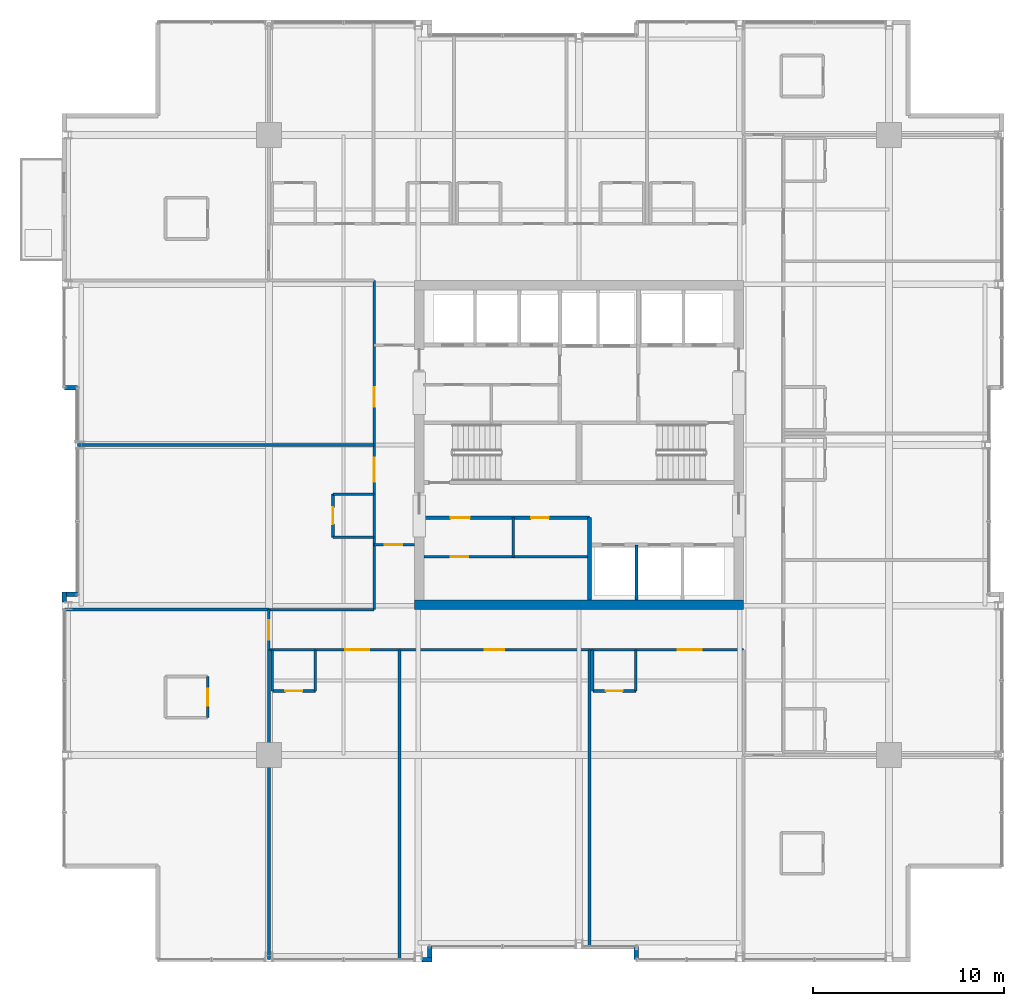
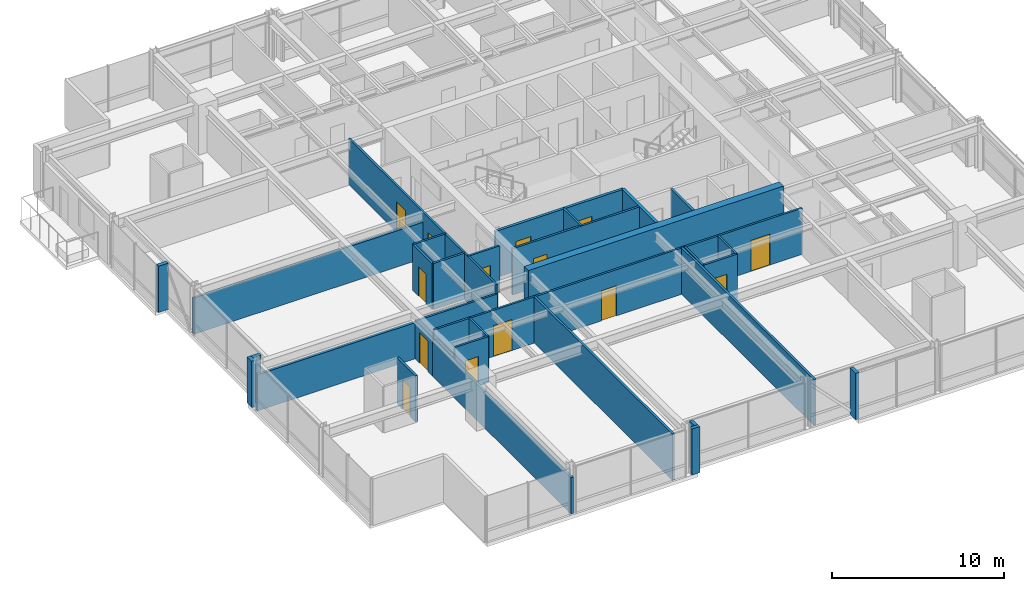
# One storey, part 25 of 32: 32 walls, 14 doors, 14 openings.
"""IFC4 building model written with IfcOpenShell, lengths in metres."""

from ifc_helpers import new_model, si_unit, direction, frame, frame_2d, origin, place, context, subcontext, project, spatial, rectangle, extrude, material, layer, layer_set, type_object, element, fill, save


model = new_model("IFC4")

# Units and contexts
model_context = context("Model", 3, precision=1e-05, world=origin(), true_north=direction((0.0, 1.0)))
body_context = subcontext(model_context, "Body", "Model", "MODEL_VIEW")
ifc_project = project(units=[si_unit("LENGTHUNIT", "METRE"), si_unit("AREAUNIT", "SQUARE_METRE"), si_unit("VOLUMEUNIT", "CUBIC_METRE"), si_unit("PLANEANGLEUNIT", "RADIAN"), si_unit("MASSUNIT", "GRAM", prefix="KILO")], contexts=[model_context])

# Site, building, storey
site_placement = place(None, origin())
site = spatial("IfcSite", under=ifc_project, at=site_placement, CompositionType="ELEMENT")
building_placement = place(site_placement, origin())
building = spatial("IfcBuilding", under=site, at=building_placement, Name="Drelvath Grand Hotel", CompositionType="ELEMENT")
storey_placement = place(building_placement, frame((0.0, 0.0, 189.449951171875)))
storey = spatial("IfcBuildingStorey", under=building, at=storey_placement, Name="L49", CompositionType="ELEMENT", Elevation=189.449951171875)

# Walls
ifc_material_1 = material(Name="Concrete C40/50", Category="concrete")
ifc_layer_1 = layer(ifc_material_1, 0.199951171875)
ifc_layer_set_1 = layer_set([ifc_layer_1], Name="Concrete C40/50")
wall_type_1 = type_object("IfcWallType", Name="Core Hoistway Fire Wall 200", PredefinedType="SOLIDWALL", material=ifc_layer_set_1)
wall_1_placement = place(storey_placement, frame((0.550048828125, 18.89990234375, 0.0), z_axis=(0.0, 0.0, 1.0), x_axis=(0.0, 1.0, 0.0)))
element("IfcWall", 1, at=wall_1_placement, inside=storey, type_object=wall_type_1, Name="L49 Bank 2 West Wall", PredefinedType="SOLIDWALL", context=body_context, shape_type="SweptSolid", body=[
    extrude(rectangle(XDim=4.300048828125, YDim=0.199951171875, at=frame_2d((2.14990234375, 0.0))), origin(), (0.0, 0.0, 1.0), 3.2900390625),
])
ifc_material_2 = material(Name="Gypsum Fireboard Partition")
ifc_layer_2 = layer(ifc_material_2, 0.1650390625)
ifc_layer_set_2 = layer_set([ifc_layer_2], Name="Gypsum Fireboard Partition")
wall_type_2 = type_object("IfcWallType", Name="Core Shaft Partition 165", PredefinedType="PARTITIONING", material=ifc_layer_set_2)
wall_2_placement = place(storey_placement, frame((3.0, 18.89990234375, 0.0), z_axis=(0.0, 0.0, 1.0), x_axis=(0.0, 1.0, 0.0)))
element("IfcWall", 2, at=wall_2_placement, inside=storey, type_object=wall_type_2, Name="L49 Lift PE-4/5 Divider", PredefinedType="PARTITIONING", context=body_context, shape_type="SweptSolid", body=[
    extrude(rectangle(XDim=2.880126953125, YDim=0.1650390625, at=frame_2d((1.43994140625, 0.0))), origin(), (0.0, 0.0, 1.0), 3.2900390625),
])

# Wall, opening, door
ifc_layer_3 = layer(ifc_material_2, 0.135009765625)
ifc_layer_set_3 = layer_set([ifc_layer_3], Name="Gypsum Fireboard Partition")
wall_type_3 = type_object("IfcWallType", Name="Corridor Fire Barrier Wall 135", PredefinedType="PARTITIONING", material=ifc_layer_set_3)
wall_3_placement = place(storey_placement, frame((-10.699951171875, 21.800048828125, 0.0), z_axis=(0.0, 0.0, 1.0), x_axis=(1.0, 0.0, 0.0)))
wall_3 = element("IfcWall", 3, at=wall_3_placement, inside=storey, type_object=wall_type_3, Name="L49 West Foyer South Wall", PredefinedType="PARTITIONING", context=body_context, shape_type="SweptSolid", body=[
    extrude(rectangle(XDim=2.099853515625, YDim=0.135009765625, at=frame_2d((1.0498046875, 0.0))), origin(), (0.0, 0.0, 1.0), 3.2900390625),
])
opening_1_placement = place(wall_3_placement, frame((0.550048828125, 0.0, 0.0)))
opening_1 = element("IfcOpeningElement", 4, at=opening_1_placement, cuts=wall_3, Name="Opening D-T3G4-024", PredefinedType="OPENING", context=body_context, shape_type="SweptSolid", body=[
    extrude(rectangle(XDim=0.919921875, YDim=2.10009765625, at=frame_2d((0.4599609375, 1.050048828125))), frame((0.0, 0.077392578125, 0.0), z_axis=(0.0, -1.0, 0.0), x_axis=(1.0, 0.0, 0.0)), (0.0, 0.0, 1.0), 0.155029296875),
])
ifc_material_3 = material(Name="Painted Steel S275", Category="steel")
door_type_1 = type_object("IfcDoorType", Name="Staff Utility Door 920x2100", OperationType="NOTDEFINED", PredefinedType="DOOR", material=ifc_material_3)
door_1_placement = place(opening_1_placement, origin())
door_1 = element("IfcDoor", 5, at=door_1_placement, inside=storey, type_object=door_type_1, Name="L49 West Linen Closet Door", OperationType="SINGLE_SWING_RIGHT", OverallHeight=2.10009765625, OverallWidth=0.919921875, PredefinedType="DOOR", context=body_context, shape_type="SweptSolid", body=[
    extrude(rectangle(XDim=0.919921875, YDim=2.10009765625, at=frame_2d((0.4599609375, 1.050048828125))), frame((0.0, 0.02490234375, 0.0), z_axis=(0.0, -1.0, 0.0), x_axis=(1.0, 0.0, 0.0)), (0.0, 0.0, 1.0), 0.050048828125),
])
fill(opening_1, door_1)

# Wall
wall_4_placement = place(storey_placement, frame((-16.199951171875, 18.39990234375, 0.0), z_axis=(0.0, 0.0, 1.0), x_axis=(1.0, 0.0, 0.0)))
element("IfcWall", 6, at=wall_4_placement, inside=storey, type_object=wall_type_3, Name="L49 SW Stub North Wall", PredefinedType="PARTITIONING", context=body_context, shape_type="SweptSolid", body=[
    extrude(rectangle(XDim=5.5, YDim=0.135009765625, at=frame_2d((2.75, 0.0))), origin(), (0.0, 0.0, 1.0), 2.66748046875),
])

# Wall, openings, doors
wall_5_placement = place(storey_placement, frame((-16.199951171875, 16.300048828125, 0.0), z_axis=(0.0, 0.0, 1.0), x_axis=(1.0, 0.0, 0.0)))
wall_5 = element("IfcWall", 7, at=wall_5_placement, inside=storey, type_object=wall_type_3, Name="L49 South Stub Corridor Wall", PredefinedType="PARTITIONING", context=body_context, shape_type="SweptSolid", body=[
    extrude(rectangle(XDim=24.800048828125, YDim=0.135009765625, at=frame_2d((12.39990234375, 0.0))), origin(), (0.0, 0.0, 1.0), 3.2900390625),
])
opening_2_placement = place(wall_5_placement, frame((3.9951171875, 0.0, 0.0)))
opening_2 = element("IfcOpeningElement", 8, at=opening_2_placement, cuts=wall_5, Name="Opening D-T3G4-035", PredefinedType="OPENING", context=body_context, shape_type="SweptSolid", body=[
    extrude(rectangle(XDim=1.260009765625, YDim=2.199951171875, at=frame_2d((0.6298828125, 1.10009765625))), frame((0.0, 0.077392578125, 0.0), z_axis=(0.0, -1.0, 0.0), x_axis=(1.0, 0.0, 0.0)), (0.0, 0.0, 1.0), 0.155029296875),
])
opening_3_placement = place(wall_5_placement, frame((11.27001953125, 0.0, 0.0)))
opening_3 = element("IfcOpeningElement", 9, at=opening_3_placement, cuts=wall_5, Name="Opening D-T3G4-036", PredefinedType="OPENING", context=body_context, shape_type="SweptSolid", body=[
    extrude(rectangle(XDim=1.02001953125, YDim=2.14990234375, at=frame_2d((0.510009765625, 1.074951171875))), frame((0.0, 0.077392578125, 0.0), z_axis=(0.0, -1.0, 0.0), x_axis=(1.0, 0.0, 0.0)), (0.0, 0.0, 1.0), 0.155029296875),
])
opening_4_placement = place(wall_5_placement, frame((21.35498046875, 0.0, 0.0)))
opening_4 = element("IfcOpeningElement", 10, at=opening_4_placement, cuts=wall_5, Name="Opening D-T3G4-038", PredefinedType="OPENING", context=body_context, shape_type="SweptSolid", body=[
    extrude(rectangle(XDim=1.260009765625, YDim=2.199951171875, at=frame_2d((0.6298828125, 1.10009765625))), frame((0.0, 0.077392578125, 0.0), z_axis=(0.0, -1.0, 0.0), x_axis=(1.0, 0.0, 0.0)), (0.0, 0.0, 1.0), 0.155029296875),
])
ifc_material_4 = material(Name="Hardwood Walnut Timber", Category="wood")
door_type_2 = type_object("IfcDoorType", Name="Amenity Meeting Fire Door 1020x2150", OperationType="NOTDEFINED", PredefinedType="DOOR", material=ifc_material_4)
door_2_placement = place(opening_3_placement, origin())
door_2 = element("IfcDoor", 11, at=door_2_placement, inside=storey, type_object=door_type_2, Name="L49 Conference Room Entry Door", OperationType="SINGLE_SWING_RIGHT", OverallHeight=2.14990234375, OverallWidth=1.02001953125, PredefinedType="DOOR", context=body_context, shape_type="SweptSolid", body=[
    extrude(rectangle(XDim=1.02001953125, YDim=2.14990234375, at=frame_2d((0.510009765625, 1.074951171875))), frame((0.0, 0.02490234375, 0.0), z_axis=(0.0, -1.0, 0.0), x_axis=(1.0, 0.0, 0.0)), (0.0, 0.0, 1.0), 0.050048828125),
])
fill(opening_3, door_2)
door_type_3 = type_object("IfcDoorType", Name="Suite Entrance Fire Door 1260x2200", OperationType="NOTDEFINED", PredefinedType="DOOR", material=ifc_material_4)
door_3_placement = place(opening_2_placement, origin())
door_3 = element("IfcDoor", 12, at=door_3_placement, inside=storey, type_object=door_type_3, Name="L49 Executive Suite Entry Door", OperationType="SINGLE_SWING_LEFT", OverallHeight=2.199951171875, OverallWidth=1.260009765625, PredefinedType="DOOR", context=body_context, shape_type="SweptSolid", body=[
    extrude(rectangle(XDim=1.260009765625, YDim=2.199951171875, at=frame_2d((0.6298828125, 1.10009765625))), frame((0.0, 0.02490234375, 0.0), z_axis=(0.0, -1.0, 0.0), x_axis=(1.0, 0.0, 0.0)), (0.0, 0.0, 1.0), 0.050048828125),
])
fill(opening_2, door_3)
door_4_placement = place(opening_4_placement, origin())
door_4 = element("IfcDoor", 13, at=door_4_placement, inside=storey, type_object=door_type_3, Name="L49 Executive Suite Entry Door", OperationType="SINGLE_SWING_RIGHT", OverallHeight=2.199951171875, OverallWidth=1.260009765625, PredefinedType="DOOR", context=body_context, shape_type="SweptSolid", body=[
    extrude(rectangle(XDim=1.260009765625, YDim=2.199951171875, at=frame_2d((0.6298828125, 1.10009765625))), frame((0.0, 0.02490234375, 0.0), z_axis=(0.0, -1.0, 0.0), x_axis=(1.0, 0.0, 0.0)), (0.0, 0.0, 1.0), 0.050048828125),
])
fill(opening_4, door_4)

wall_6_placement = place(storey_placement, frame((-10.699951171875, 18.39990234375, 0.0), z_axis=(0.0, 0.0, 1.0), x_axis=(0.0, 1.0, 0.0)))
wall_6 = element("IfcWall", 14, at=wall_6_placement, inside=storey, type_object=wall_type_3, Name="L49 West Spine Wall", PredefinedType="PARTITIONING", context=body_context, shape_type="SweptSolid", body=[
    extrude(rectangle(XDim=17.2001953125, YDim=0.135009765625, at=frame_2d((8.60009765625, 0.0))), origin(), (0.0, 0.0, 1.0), 3.2900390625),
])
opening_5_placement = place(wall_6_placement, frame((6.68505859375, 0.0, 0.0)))
opening_5 = element("IfcOpeningElement", 15, at=opening_5_placement, cuts=wall_6, Name="Opening D-T3G4-058", PredefinedType="OPENING", context=body_context, shape_type="SweptSolid", body=[
    extrude(rectangle(XDim=1.260009765625, YDim=2.199951171875, at=frame_2d((0.6298828125, 1.10009765625))), frame((0.0, 0.077392578125, 0.0), z_axis=(0.0, -1.0, 0.0), x_axis=(1.0, 0.0, 0.0)), (0.0, 0.0, 1.0), 0.155029296875),
])
opening_6_placement = place(wall_6_placement, frame((10.590087890625, 0.0, 0.0)))
opening_6 = element("IfcOpeningElement", 16, at=opening_6_placement, cuts=wall_6, Name="Opening D-T3G4-059", PredefinedType="OPENING", context=body_context, shape_type="SweptSolid", body=[
    extrude(rectangle(XDim=1.02001953125, YDim=2.14990234375, at=frame_2d((0.510009765625, 1.074951171875))), frame((0.0, 0.077392578125, 0.0), z_axis=(0.0, -1.0, 0.0), x_axis=(1.0, 0.0, 0.0)), (0.0, 0.0, 1.0), 0.155029296875),
])
door_5_placement = place(opening_6_placement, origin())
door_5 = element("IfcDoor", 17, at=door_5_placement, inside=storey, type_object=door_type_2, Name="L49 Fitness Movement Studio Entry Door", OperationType="SINGLE_SWING_LEFT", OverallHeight=2.14990234375, OverallWidth=1.02001953125, PredefinedType="DOOR", context=body_context, shape_type="SweptSolid", body=[
    extrude(rectangle(XDim=1.02001953125, YDim=2.14990234375, at=frame_2d((0.510009765625, 1.074951171875))), frame((0.0, 0.02490234375, 0.0), z_axis=(0.0, -1.0, 0.0), x_axis=(1.0, 0.0, 0.0)), (0.0, 0.0, 1.0), 0.050048828125),
])
fill(opening_6, door_5)
door_6_placement = place(opening_5_placement, origin())
door_6 = element("IfcDoor", 18, at=door_6_placement, inside=storey, type_object=door_type_3, Name="L49 Executive Suite Entry Door", OperationType="SINGLE_SWING_RIGHT", OverallHeight=2.199951171875, OverallWidth=1.260009765625, PredefinedType="DOOR", context=body_context, shape_type="SweptSolid", body=[
    extrude(rectangle(XDim=1.260009765625, YDim=2.199951171875, at=frame_2d((0.6298828125, 1.10009765625))), frame((0.0, 0.02490234375, 0.0), z_axis=(0.0, -1.0, 0.0), x_axis=(1.0, 0.0, 0.0)), (0.0, 0.0, 1.0), 0.050048828125),
])
fill(opening_5, door_6)

# Wall, opening, door
wall_7_placement = place(storey_placement, frame((-16.199951171875, 16.300048828125, 0.0), z_axis=(0.0, 0.0, 1.0), x_axis=(0.0, 1.0, 0.0)))
wall_7 = element("IfcWall", 19, at=wall_7_placement, inside=storey, type_object=wall_type_3, Name="L49 South Stub West End", PredefinedType="PARTITIONING", context=body_context, shape_type="SweptSolid", body=[
    extrude(rectangle(XDim=2.099853515625, YDim=0.135009765625, at=frame_2d((1.0498046875, 0.0))), origin(), (0.0, 0.0, 1.0), 2.57958984375),
])
opening_7_placement = place(wall_7_placement, frame((0.52001953125, 0.0, 0.0)))
opening_7 = element("IfcOpeningElement", 20, at=opening_7_placement, cuts=wall_7, Name="Opening D-T3G4-027", PredefinedType="OPENING", context=body_context, shape_type="SweptSolid", body=[
    extrude(rectangle(XDim=1.02001953125, YDim=2.14990234375, at=frame_2d((0.510009765625, 1.074951171875))), frame((0.0, 0.077392578125, 0.0), z_axis=(0.0, -1.0, 0.0), x_axis=(1.0, 0.0, 0.0)), (0.0, 0.0, 1.0), 0.155029296875),
])
door_7_placement = place(opening_7_placement, origin())
door_7 = element("IfcDoor", 21, at=door_7_placement, inside=storey, type_object=door_type_2, Name="L49 Executive Suite Entry Door", OperationType="SINGLE_SWING_LEFT", OverallHeight=2.14990234375, OverallWidth=1.02001953125, PredefinedType="DOOR", context=body_context, shape_type="SweptSolid", body=[
    extrude(rectangle(XDim=1.02001953125, YDim=2.14990234375, at=frame_2d((0.510009765625, 1.074951171875))), frame((0.0, 0.02490234375, 0.0), z_axis=(0.0, -1.0, 0.0), x_axis=(1.0, 0.0, 0.0)), (0.0, 0.0, 1.0), 0.050048828125),
])
fill(opening_7, door_7)

ifc_material_5 = material(Name="Moisture-Resistant Gypsum Board")
ifc_layer_4 = layer(ifc_material_5, 0.139892578125)
ifc_layer_set_4 = layer_set([ifc_layer_4], Name="Moisture-Resistant Gypsum Board")
wall_type_4 = type_object("IfcWallType", Name="En-Suite Plumbing Wall 140", PredefinedType="PLUMBINGWALL", material=ifc_layer_set_4)
wall_8_placement = place(storey_placement, frame((-8.10009765625, 21.159912109375, 0.0), z_axis=(0.0, 0.0, 1.0), x_axis=(1.0, 0.0, 0.0)))
wall_8 = element("IfcWall", 22, at=wall_8_placement, inside=storey, type_object=wall_type_4, Name="L49 Reclaimed Horizontal Wall", PredefinedType="PLUMBINGWALL", context=body_context, shape_type="SweptSolid", body=[
    extrude(rectangle(XDim=8.650146484375, YDim=0.139892578125, at=frame_2d((4.3251953125, 0.0))), origin(), (0.0, 0.0, 1.0), 3.2900390625),
])
opening_8_placement = place(wall_8_placement, frame((1.39990234375, 0.0, 0.0)))
opening_8 = element("IfcOpeningElement", 23, at=opening_8_placement, cuts=wall_8, Name="Opening D-T3G4-023", PredefinedType="OPENING", context=body_context, shape_type="SweptSolid", body=[
    extrude(rectangle(XDim=0.919921875, YDim=2.10009765625, at=frame_2d((0.4599609375, 1.050048828125))), frame((0.0, 0.079833984375, 0.0), z_axis=(0.0, -1.0, 0.0), x_axis=(1.0, 0.0, 0.0)), (0.0, 0.0, 1.0), 0.159912109375),
])
door_8_placement = place(opening_8_placement, origin())
door_8 = element("IfcDoor", 24, at=door_8_placement, inside=storey, type_object=door_type_1, Name="L49 Housekeeping Inner Door", OperationType="SINGLE_SWING_LEFT", OverallHeight=2.10009765625, OverallWidth=0.919921875, PredefinedType="DOOR", context=body_context, shape_type="SweptSolid", body=[
    extrude(rectangle(XDim=0.919921875, YDim=2.10009765625, at=frame_2d((0.4599609375, 1.050048828125))), frame((0.0, 0.02490234375, 0.0), z_axis=(0.0, -1.0, 0.0), x_axis=(1.0, 0.0, 0.0)), (0.0, 0.0, 1.0), 0.050048828125),
])
fill(opening_8, door_8)

# Wall
wall_9_placement = place(storey_placement, frame((-3.43994140625, 21.159912109375, 0.0), z_axis=(0.0, 0.0, 1.0), x_axis=(0.0, 1.0, 0.0)))
element("IfcWall", 25, at=wall_9_placement, inside=storey, type_object=wall_type_4, Name="L49 Staff WC Wall", PredefinedType="PLUMBINGWALL", context=body_context, shape_type="SweptSolid", body=[
    extrude(rectangle(XDim=2.0400390625, YDim=0.139892578125, at=frame_2d((1.02001953125, 0.0))), origin(), (0.0, 0.0, 1.0), 3.2900390625),
])

# Wall, opening, door
wall_10_placement = place(storey_placement, frame((-19.39990234375, 12.760009765625, 0.0), z_axis=(0.0, 0.0, 1.0), x_axis=(0.0, 1.0, 0.0)))
wall_10 = element("IfcWall", 26, at=wall_10_placement, inside=storey, type_object=wall_type_4, Name="L49 Corner En-Suite East", PredefinedType="PLUMBINGWALL", context=body_context, shape_type="SweptSolid", body=[
    extrude(rectangle(XDim=2.14990234375, YDim=0.139892578125, at=frame_2d((1.074951171875, 0.0))), origin(), (0.0, 0.0, 1.0), 3.2900390625),
])
opening_9_placement = place(wall_10_placement, frame((0.6201171875, 0.0, 0.0)))
opening_9 = element("IfcOpeningElement", 27, at=opening_9_placement, cuts=wall_10, Name="Opening D-T3G4-026", PredefinedType="OPENING", context=body_context, shape_type="SweptSolid", body=[
    extrude(rectangle(XDim=0.8798828125, YDim=2.10009765625, at=frame_2d((0.43994140625, 1.050048828125))), frame((0.0, 0.079833984375, 0.0), z_axis=(0.0, -1.0, 0.0), x_axis=(1.0, 0.0, 0.0)), (0.0, 0.0, 1.0), 0.159912109375),
])
door_type_4 = type_object("IfcDoorType", Name="En-Suite Bathroom Door 880x2100", OperationType="NOTDEFINED", PredefinedType="DOOR", material=ifc_material_4)
door_9_placement = place(opening_9_placement, origin())
door_9 = element("IfcDoor", 28, at=door_9_placement, inside=storey, type_object=door_type_4, Name="L49 Corner En-Suite Door", OperationType="SINGLE_SWING_RIGHT", OverallHeight=2.10009765625, OverallWidth=0.8798828125, PredefinedType="DOOR", context=body_context, shape_type="SweptSolid", body=[
    extrude(rectangle(XDim=0.8798828125, YDim=2.10009765625, at=frame_2d((0.43994140625, 1.050048828125))), frame((0.0, 0.02490234375, 0.0), z_axis=(0.0, -1.0, 0.0), x_axis=(1.0, 0.0, 0.0)), (0.0, 0.0, 1.0), 0.050048828125),
])
fill(opening_9, door_9)

# Walls
wall_11_placement = place(storey_placement, frame((-16.02001953125, 16.300048828125, 0.0), z_axis=(0.0, 0.0, 1.0), x_axis=(0.0, -1.0, 0.0)))
element("IfcWall", 29, at=wall_11_placement, inside=storey, type_object=wall_type_4, Name="L49 En-Suite Left Wall", PredefinedType="PLUMBINGWALL", context=body_context, shape_type="SweptSolid", body=[
    extrude(rectangle(XDim=2.150146484375, YDim=0.139892578125, at=frame_2d((1.0751953125, 0.0))), origin(), (0.0, 0.0, 1.0), 2.57958984375),
])
wall_12_placement = place(storey_placement, frame((-13.77001953125, 16.300048828125, 0.0), z_axis=(0.0, 0.0, 1.0), x_axis=(0.0, -1.0, 0.0)))
element("IfcWall", 30, at=wall_12_placement, inside=storey, type_object=wall_type_4, Name="L49 En-Suite Right Wall", PredefinedType="PLUMBINGWALL", context=body_context, shape_type="SweptSolid", body=[
    extrude(rectangle(XDim=2.150146484375, YDim=0.139892578125, at=frame_2d((1.0751953125, 0.0))), origin(), (0.0, 0.0, 1.0), 3.2900390625),
])

# Wall, opening, door
wall_13_placement = place(storey_placement, frame((-16.02001953125, 14.14990234375, 0.0), z_axis=(0.0, 0.0, 1.0), x_axis=(1.0, 0.0, 0.0)))
wall_13 = element("IfcWall", 31, at=wall_13_placement, inside=storey, type_object=wall_type_4, Name="L49 En-Suite Front Wall", PredefinedType="PLUMBINGWALL", context=body_context, shape_type="SweptSolid", body=[
    extrude(rectangle(XDim=2.25, YDim=0.139892578125, at=frame_2d((1.125, 0.0))), origin(), (0.0, 0.0, 1.0), 3.2900390625),
])
opening_10_placement = place(wall_13_placement, frame((0.68505859375, 0.0, 0.0)))
opening_10 = element("IfcOpeningElement", 32, at=opening_10_placement, cuts=wall_13, Name="Opening D-T3G4-034", PredefinedType="OPENING", context=body_context, shape_type="SweptSolid", body=[
    extrude(rectangle(XDim=0.8798828125, YDim=2.10009765625, at=frame_2d((0.43994140625, 1.050048828125))), frame((0.0, 0.079833984375, 0.0), z_axis=(0.0, -1.0, 0.0), x_axis=(1.0, 0.0, 0.0)), (0.0, 0.0, 1.0), 0.159912109375),
])
door_10_placement = place(opening_10_placement, origin())
door_10 = element("IfcDoor", 33, at=door_10_placement, inside=storey, type_object=door_type_4, Name="L49 En-Suite Bathroom Door", OperationType="SINGLE_SWING_RIGHT", OverallHeight=2.10009765625, OverallWidth=0.8798828125, PredefinedType="DOOR", context=body_context, shape_type="SweptSolid", body=[
    extrude(rectangle(XDim=0.8798828125, YDim=2.10009765625, at=frame_2d((0.43994140625, 1.050048828125))), frame((0.0, 0.02490234375, 0.0), z_axis=(0.0, -1.0, 0.0), x_axis=(1.0, 0.0, 0.0)), (0.0, 0.0, 1.0), 0.050048828125),
])
fill(opening_10, door_10)

# Walls
for number, where, z_axis, x_axis, name in (
    (34, (0.719970703125, 16.300048828125, 0.0), (0.0, 0.0, 1.0), (0.0, -1.0, 0.0), "L49 En-Suite Left Wall"),
    (35, (2.969970703125, 16.300048828125, 0.0), (0.0, 0.0, 1.0), (0.0, -1.0, 0.0), "L49 En-Suite Right Wall"),
):
    element("IfcWall", number, at=place(storey_placement, frame(where, z_axis=z_axis, x_axis=x_axis)), inside=storey, type_object=wall_type_4, Name=name, PredefinedType="PLUMBINGWALL", context=body_context, shape_type="SweptSolid", body=[
        extrude(rectangle(XDim=2.150146484375, YDim=0.139892578125, at=frame_2d((1.0751953125, 0.0))), origin(), (0.0, 0.0, 1.0), 3.2900390625),
    ])

# Wall, opening, door
wall_14_placement = place(storey_placement, frame((0.719970703125, 14.14990234375, 0.0), z_axis=(0.0, 0.0, 1.0), x_axis=(1.0, 0.0, 0.0)))
wall_14 = element("IfcWall", 36, at=wall_14_placement, inside=storey, type_object=wall_type_4, Name="L49 En-Suite Front Wall", PredefinedType="PLUMBINGWALL", context=body_context, shape_type="SweptSolid", body=[
    extrude(rectangle(XDim=2.25, YDim=0.139892578125, at=frame_2d((1.125, 0.0))), origin(), (0.0, 0.0, 1.0), 3.2900390625),
])
opening_11_placement = place(wall_14_placement, frame((0.68505859375, 0.0, 0.0)))
opening_11 = element("IfcOpeningElement", 37, at=opening_11_placement, cuts=wall_14, Name="Opening D-T3G4-037", PredefinedType="OPENING", context=body_context, shape_type="SweptSolid", body=[
    extrude(rectangle(XDim=0.8798828125, YDim=2.10009765625, at=frame_2d((0.43994140625, 1.050048828125))), frame((0.0, 0.079833984375, 0.0), z_axis=(0.0, -1.0, 0.0), x_axis=(1.0, 0.0, 0.0)), (0.0, 0.0, 1.0), 0.159912109375),
])
door_11_placement = place(opening_11_placement, origin())
door_11 = element("IfcDoor", 38, at=door_11_placement, inside=storey, type_object=door_type_4, Name="L49 En-Suite Bathroom Door", OperationType="SINGLE_SWING_LEFT", OverallHeight=2.10009765625, OverallWidth=0.8798828125, PredefinedType="DOOR", context=body_context, shape_type="SweptSolid", body=[
    extrude(rectangle(XDim=0.8798828125, YDim=2.10009765625, at=frame_2d((0.43994140625, 1.050048828125))), frame((0.0, 0.02490234375, 0.0), z_axis=(0.0, -1.0, 0.0), x_axis=(1.0, 0.0, 0.0)), (0.0, 0.0, 1.0), 0.050048828125),
])
fill(opening_11, door_11)

# Walls
for number, where, z_axis, x_axis, name in (
    (39, (-10.699951171875, 22.179931640625, 0.0), (0.0, 0.0, 1.0), (-1.0, 0.0, 0.0), "L49 En-Suite Left Wall"),
    (40, (-10.699951171875, 24.429931640625, 0.0), (0.0, 0.0, 1.0), (-1.0, 0.0, 0.0), "L49 En-Suite Right Wall"),
):
    element("IfcWall", number, at=place(storey_placement, frame(where, z_axis=z_axis, x_axis=x_axis)), inside=storey, type_object=wall_type_4, Name=name, PredefinedType="PLUMBINGWALL", context=body_context, shape_type="SweptSolid", body=[
        extrude(rectangle(XDim=2.150146484375, YDim=0.139892578125, at=frame_2d((1.0751953125, 0.0))), origin(), (0.0, 0.0, 1.0), 3.2900390625),
    ])

# Wall, opening, door
wall_15_placement = place(storey_placement, frame((-12.85009765625, 22.179931640625, 0.0), z_axis=(0.0, 0.0, 1.0), x_axis=(0.0, 1.0, 0.0)))
wall_15 = element("IfcWall", 41, at=wall_15_placement, inside=storey, type_object=wall_type_4, Name="L49 En-Suite Front Wall", PredefinedType="PLUMBINGWALL", context=body_context, shape_type="SweptSolid", body=[
    extrude(rectangle(XDim=2.25, YDim=0.139892578125, at=frame_2d((1.125, 0.0))), origin(), (0.0, 0.0, 1.0), 3.2900390625),
])
opening_12_placement = place(wall_15_placement, frame((0.68505859375, 0.0, 0.0)))
opening_12 = element("IfcOpeningElement", 42, at=opening_12_placement, cuts=wall_15, Name="Opening D-T3G4-057", PredefinedType="OPENING", context=body_context, shape_type="SweptSolid", body=[
    extrude(rectangle(XDim=0.8798828125, YDim=2.10009765625, at=frame_2d((0.43994140625, 1.050048828125))), frame((0.0, 0.079833984375, 0.0), z_axis=(0.0, -1.0, 0.0), x_axis=(1.0, 0.0, 0.0)), (0.0, 0.0, 1.0), 0.159912109375),
])
door_12_placement = place(opening_12_placement, origin())
door_12 = element("IfcDoor", 43, at=door_12_placement, inside=storey, type_object=door_type_4, Name="L49 En-Suite Bathroom Door", OperationType="SINGLE_SWING_LEFT", OverallHeight=2.10009765625, OverallWidth=0.8798828125, PredefinedType="DOOR", context=body_context, shape_type="SweptSolid", body=[
    extrude(rectangle(XDim=0.8798828125, YDim=2.10009765625, at=frame_2d((0.43994140625, 1.050048828125))), frame((0.0, 0.02490234375, 0.0), z_axis=(0.0, -1.0, 0.0), x_axis=(1.0, 0.0, 0.0)), (0.0, 0.0, 1.0), 0.050048828125),
])
fill(opening_12, door_12)

# Wall, openings, doors
ifc_layer_5 = layer(ifc_material_2, 0.179931640625)
ifc_layer_set_5 = layer_set([ifc_layer_5], Name="Gypsum Fireboard Partition")
wall_type_5 = type_object("IfcWallType", Name="FSAE Smoke Lobby Fire Wall 180", PredefinedType="SOLIDWALL", material=ifc_layer_set_5)
wall_16_placement = place(storey_placement, frame((-8.10009765625, 23.199951171875, 0.0), z_axis=(0.0, 0.0, 1.0), x_axis=(1.0, 0.0, 0.0)))
wall_16 = element("IfcWall", 44, at=wall_16_placement, inside=storey, type_object=wall_type_5, Name="L49 Reclaimed Core Room Wall", PredefinedType="SOLIDWALL", context=body_context, shape_type="SweptSolid", body=[
    extrude(rectangle(XDim=8.650146484375, YDim=0.179931640625, at=frame_2d((4.3251953125, 0.0))), origin(), (0.0, 0.0, 1.0), 3.2900390625),
])
opening_13_placement = place(wall_16_placement, frame((1.39990234375, 0.0, 0.0)))
opening_13 = element("IfcOpeningElement", 45, at=opening_13_placement, cuts=wall_16, Name="Opening D-T3G4-021", PredefinedType="OPENING", context=body_context, shape_type="SweptSolid", body=[
    extrude(rectangle(XDim=1.0, YDim=2.10009765625, at=frame_2d((0.5, 1.050048828125))), frame((0.0, 0.099853515625, 0.0), z_axis=(0.0, -1.0, 0.0), x_axis=(1.0, 0.0, 0.0)), (0.0, 0.0, 1.0), 0.199951171875),
])
opening_14_placement = place(wall_16_placement, frame((5.60009765625, 0.0, 0.0)))
opening_14 = element("IfcOpeningElement", 46, at=opening_14_placement, cuts=wall_16, Name="Opening D-T3G4-022", PredefinedType="OPENING", context=body_context, shape_type="SweptSolid", body=[
    extrude(rectangle(XDim=0.919921875, YDim=2.10009765625, at=frame_2d((0.4599609375, 1.050048828125))), frame((0.0, 0.099853515625, 0.0), z_axis=(0.0, -1.0, 0.0), x_axis=(1.0, 0.0, 0.0)), (0.0, 0.0, 1.0), 0.199951171875),
])
door_type_5 = type_object("IfcDoorType", Name="Core Service Fire Door 1000x2100", OperationType="NOTDEFINED", PredefinedType="DOOR", material=ifc_material_3)
door_13_placement = place(opening_13_placement, origin())
door_13 = element("IfcDoor", 47, at=door_13_placement, inside=storey, type_object=door_type_5, Name="L49 Valet Room Door", OperationType="SINGLE_SWING_LEFT", OverallHeight=2.10009765625, OverallWidth=1.0, PredefinedType="DOOR", context=body_context, shape_type="SweptSolid", body=[
    extrude(rectangle(XDim=1.0, YDim=2.10009765625, at=frame_2d((0.5, 1.050048828125))), frame((0.0, 0.02490234375, 0.0), z_axis=(0.0, -1.0, 0.0), x_axis=(1.0, 0.0, 0.0)), (0.0, 0.0, 1.0), 0.050048828125),
])
fill(opening_13, door_13)
door_14_placement = place(opening_14_placement, origin())
door_14 = element("IfcDoor", 48, at=door_14_placement, inside=storey, type_object=door_type_5, Name="L49 Staff WC Door", OperationType="SINGLE_SWING_RIGHT", OverallHeight=2.10009765625, OverallWidth=0.919921875, PredefinedType="DOOR", context=body_context, shape_type="SweptSolid", body=[
    extrude(rectangle(XDim=0.919921875, YDim=2.10009765625, at=frame_2d((0.4599609375, 1.050048828125))), frame((0.0, 0.02490234375, 0.0), z_axis=(0.0, -1.0, 0.0), x_axis=(1.0, 0.0, 0.0)), (0.0, 0.0, 1.0), 0.050048828125),
])
fill(opening_14, door_14)

# Walls
ifc_material_6 = material(Name="Gypsum Acoustic Partition")
ifc_layer_6 = layer(ifc_material_6, 0.14990234375)
ifc_layer_set_6 = layer_set([ifc_layer_6], Name="Gypsum Acoustic Partition")
wall_type_6 = type_object("IfcWallType", Name="Guestroom Demising Wall 150", PredefinedType="PARTITIONING", material=ifc_layer_set_6)
wall_17_placement = place(storey_placement, frame((-9.3798828125, 0.1201171875, 0.0), z_axis=(0.0, 0.0, 1.0), x_axis=(0.0, 1.0, 0.0)))
element("IfcWall", 49, at=wall_17_placement, inside=storey, type_object=wall_type_6, Name="L49 South Demising 1", PredefinedType="PARTITIONING", context=body_context, shape_type="SweptSolid", body=[
    extrude(rectangle(XDim=16.179931640625, YDim=0.14990234375, at=frame_2d((8.08984375, 0.0))), origin(), (0.0, 0.0, 1.0), 3.2900390625),
])
wall_18_placement = place(storey_placement, frame((0.5400390625, 0.800048828125, 0.0), z_axis=(0.0, 0.0, 1.0), x_axis=(0.0, 1.0, 0.0)))
element("IfcWall", 50, at=wall_18_placement, inside=storey, type_object=wall_type_6, Name="L49 South Demising 2", PredefinedType="PARTITIONING", context=body_context, shape_type="SweptSolid", body=[
    extrude(rectangle(XDim=15.5, YDim=0.14990234375, at=frame_2d((7.75, 0.0))), origin(), (0.0, 0.0, 1.0), 3.2900390625),
])
wall_19_placement = place(storey_placement, frame((-26.199951171875, 27.0, 0.0), z_axis=(0.0, 0.0, 1.0), x_axis=(1.0, 0.0, 0.0)))
element("IfcWall", 51, at=wall_19_placement, inside=storey, type_object=wall_type_6, Name="L49 West Suite Demising Wall", PredefinedType="PARTITIONING", context=body_context, shape_type="SweptSolid", body=[
    extrude(rectangle(XDim=15.5, YDim=0.14990234375, at=frame_2d((7.75, 0.0))), origin(), (0.0, 0.0, 1.0), 2.57958984375),
])
ifc_layer_7 = layer(ifc_material_6, 0.1650390625)
ifc_layer_set_7 = layer_set([ifc_layer_7], Name="Gypsum Acoustic Partition")
wall_type_7 = type_object("IfcWallType", Name="Suite Demising Wall 165", PredefinedType="PARTITIONING", material=ifc_layer_set_7)
wall_20_placement = place(storey_placement, frame((-16.199951171875, 0.1201171875, 0.0), z_axis=(0.0, 0.0, 1.0), x_axis=(0.0, 1.0, 0.0)))
element("IfcWall", 52, at=wall_20_placement, inside=storey, type_object=wall_type_7, Name="L49 SW Suite East Wall", PredefinedType="PARTITIONING", context=body_context, shape_type="SweptSolid", body=[
    extrude(rectangle(XDim=16.179931640625, YDim=0.1650390625, at=frame_2d((8.08984375, 0.0))), origin(), (0.0, 0.0, 1.0), 2.57958984375),
])
wall_21_placement = place(storey_placement, frame((-26.8798828125, 18.39990234375, 0.0), z_axis=(0.0, 0.0, 1.0), x_axis=(1.0, 0.0, 0.0)))
element("IfcWall", 53, at=wall_21_placement, inside=storey, type_object=wall_type_7, Name="L49 SW Suite North Wall", PredefinedType="PARTITIONING", context=body_context, shape_type="SweptSolid", body=[
    extrude(rectangle(XDim=10.679931640625, YDim=0.1650390625, at=frame_2d((5.33984375, 0.0))), origin(), (0.0, 0.0, 1.0), 2.57958984375),
])
ifc_material_7 = material(Name="Pale-Metal Insulated Aluminium Spandrel Assembly", Category="aluminium")
ifc_layer_8 = layer(ifc_material_7, 0.239990234375)
ifc_layer_set_8 = layer_set([ifc_layer_8], Name="Pale-Metal Insulated Aluminium Spandrel Assembly")
wall_type_8 = type_object("IfcWallType", Name="Tower Insulated Metal Spandrel Closure Wall 240", PredefinedType="STANDARD", material=ifc_layer_set_8)
for number, where, z_axis, x_axis, name in (
    (54, (-26.8798828125, 18.791748046875, 0.0), (0.0, 0.0, 1.0), (0.0, 1.0, 0.0), "L49 Corner Pier Spandrel Wall WS3"),
    (55, (-7.679931640625, 0.1201171875, 0.0), (0.0, 0.0, 1.0), (-1.0, 0.0, 0.0), "L49 Corner Pier Spandrel Wall SW3"),
):
    element("IfcWall", number, at=place(storey_placement, frame(where, z_axis=z_axis, x_axis=x_axis)), inside=storey, type_object=wall_type_8, Name=name, PredefinedType="STANDARD", context=body_context, shape_type="SweptSolid", body=[
        extrude(rectangle(XDim=0.5283203125, YDim=0.239990234375, at=frame_2d((0.26416015625, 0.0))), origin(), (0.0, 0.0, 1.0), 3.2900390625),
    ])
wall_22_placement = place(storey_placement, frame((-26.760009765625, 19.199951171875, 0.0), z_axis=(0.0, 0.0, 1.0), x_axis=(1.0, 0.0, 0.0)))
element("IfcWall", 56, at=wall_22_placement, inside=storey, type_object=wall_type_8, Name="L49 Notched Corner Return Spandrel Wall RW1", PredefinedType="STANDARD", context=body_context, shape_type="SweptSolid", body=[
    extrude(rectangle(XDim=0.56005859375, YDim=0.239990234375, at=frame_2d((0.280029296875, 0.0))), origin(), (0.0, 0.0, 1.0), 3.2900390625),
])
for number, where, z_axis, x_axis, name in (
    (57, (-26.199951171875, 30.0, 0.0), (0.0, 0.0, 1.0), (-1.0, 0.0, 0.0), "L49 Notched Corner Return Spandrel Wall RW2"),
    (58, (3.0, 0.1201171875, 0.0), (0.0, 0.0, 1.0), (0.0, 1.0, 0.0), "L49 Notched Corner Return Spandrel Wall RS1"),
):
    element("IfcWall", number, at=place(storey_placement, frame(where, z_axis=z_axis, x_axis=x_axis)), inside=storey, type_object=wall_type_8, Name=name, PredefinedType="STANDARD", context=body_context, shape_type="SweptSolid", body=[
        extrude(rectangle(XDim=0.679931640625, YDim=0.239990234375, at=frame_2d((0.33984375, 0.0))), origin(), (0.0, 0.0, 1.0), 3.2900390625),
    ])
wall_23_placement = place(storey_placement, frame((-7.800048828125, 0.800048828125, 0.0), z_axis=(0.0, 0.0, 1.0), x_axis=(0.0, -1.0, 0.0)))
element("IfcWall", 59, at=wall_23_placement, inside=storey, type_object=wall_type_8, Name="L49 Notched Corner Return Spandrel Wall RS2", PredefinedType="STANDARD", context=body_context, shape_type="SweptSolid", body=[
    extrude(rectangle(XDim=0.56005859375, YDim=0.239990234375, at=frame_2d((0.280029296875, 0.0))), origin(), (0.0, 0.0, 1.0), 3.2900390625),
])
ifc_material_8 = material(Name="Concrete f'c 55 MPa", Category="concrete")
ifc_layer_9 = layer(ifc_material_8, 0.5)
ifc_layer_set_9 = layer_set([ifc_layer_9], Name="Concrete f'c 55 MPa")
wall_type_9 = type_object("IfcWallType", Name="Upper Core RC Shear Wall 500", PredefinedType="SHEAR", material=ifc_layer_set_9)
wall_24_placement = place(storey_placement, frame((8.60009765625, 18.64990234375, 0.0), z_axis=(0.0, 0.0, 1.0), x_axis=(-1.0, 0.0, 0.0)))
element("IfcWall", 60, at=wall_24_placement, inside=storey, type_object=wall_type_9, Name="L49 Central Core Shear Wall S", PredefinedType="SHEAR", context=body_context, shape_type="SweptSolid", body=[
    extrude(rectangle(XDim=17.2001953125, YDim=0.5, at=frame_2d((8.60009765625, 0.0))), origin(), (0.0, 0.0, 1.0), 3.550048828125),
])

save(model, "model.ifc")
